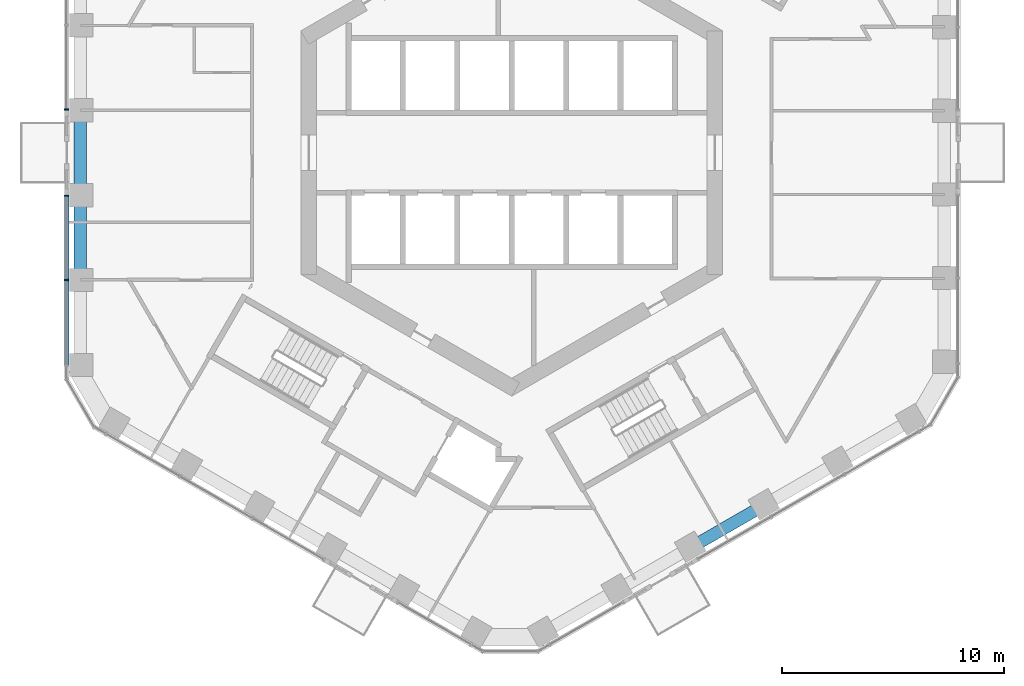
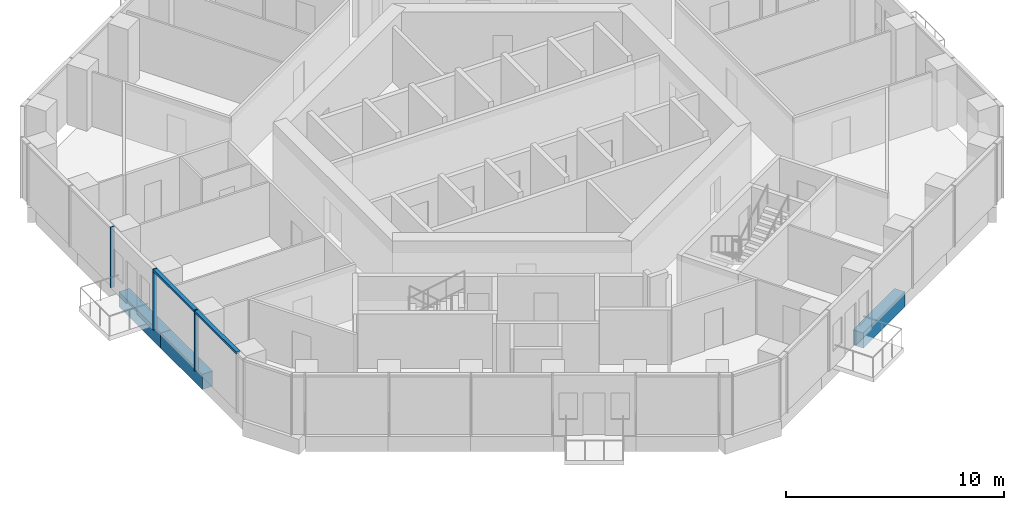
# One storey, part 3 of 20: 4 members, 3 beams, 2 elements without a shape of their own.
"""IFC4 building model written with IfcOpenShell, lengths in metres."""

from ifc_helpers import new_model, si_unit, direction, frame, origin, origin_2d, place, context, subcontext, project, spatial, rectangle, extrude, material, layer, layer_set, material_profile, profile_set, type_object, element, aggregate, save


model = new_model("IFC4")

# Units and contexts
model_context = context("Model", 3, precision=1e-05, world=origin(), true_north=direction((0.0, 1.0)))
body_context = subcontext(model_context, "Body", "Model", "MODEL_VIEW")
ifc_project = project(units=[si_unit("LENGTHUNIT", "METRE"), si_unit("AREAUNIT", "SQUARE_METRE"), si_unit("VOLUMEUNIT", "CUBIC_METRE"), si_unit("PLANEANGLEUNIT", "RADIAN"), si_unit("MASSUNIT", "GRAM", prefix="KILO")], contexts=[model_context])

# Site, building, storey
site_placement = place(None, origin())
site = spatial("IfcSite", under=ifc_project, at=site_placement, CompositionType="ELEMENT")
building_placement = place(site_placement, origin())
building = spatial("IfcBuilding", under=site, at=building_placement, Name="Ayvan Gate Tower", CompositionType="ELEMENT")
storey_placement = place(building_placement, frame((0.0, 0.0, 86.5)))
storey = spatial("IfcBuildingStorey", under=building, at=storey_placement, Name="L22", CompositionType="ELEMENT", Elevation=86.5)

# Beams
ifc_material_1 = material(Name="Concrete C40/50", Category="concrete")
ifc_material_profile_1 = material_profile(ifc_material_1, rectangle(XDim=0.550048828125, YDim=0.85009765625, at=origin_2d()), Name="RC 550x850")
ifc_profile_set_1 = profile_set([ifc_material_profile_1], Name="Concrete C40/50")
beam_type = type_object("IfcBeamType", Name="Spandrel beam RC 550x850 C40/50", PredefinedType="BEAM", material=ifc_profile_set_1)
beam_1_placement = place(storey_placement, frame((-19.439697265625, 1.908935546875, -0.77490234375), z_axis=(0.0, -1.0, 0.0), x_axis=(1.0, 0.0, 0.0)))
element("IfcBeam", 1, at=beam_1_placement, inside=storey, type_object=beam_type, Name="SB-L22-21", PredefinedType="BEAM", context=body_context, shape_type="SweptSolid", body=[
    extrude(rectangle(XDim=0.550048828125, YDim=0.85009765625, at=origin_2d()), origin(), (0.0, 0.0, 1.0), 3.81787109375),
])
beam_2_placement = place(storey_placement, frame((-19.439697265625, -1.908935546875, -0.77490234375), z_axis=(0.0, -1.0, 0.0), x_axis=(1.0, 0.0, 0.0)))
element("IfcBeam", 2, at=beam_2_placement, inside=storey, type_object=beam_type, Name="SB-L22-22", PredefinedType="BEAM", context=body_context, shape_type="SweptSolid", body=[
    extrude(rectangle(XDim=0.550048828125, YDim=0.85009765625, at=origin_2d()), origin(), (0.0, 0.0, 1.0), 3.817626953125),
])
beam_3_placement = place(storey_placement, frame((8.066650390625, -17.789794921875, -0.77490234375), z_axis=(0.866026918282, 0.499997376803, 0.0), x_axis=(-0.499997376803, 0.866026918282, 0.0)))
element("IfcBeam", 3, at=beam_3_placement, inside=storey, type_object=beam_type, Name="SB-L22-33", PredefinedType="BEAM", context=body_context, shape_type="SweptSolid", body=[
    extrude(rectangle(XDim=0.550048828125, YDim=0.85009765625, at=origin_2d()), origin(), (0.0, 0.0, 1.0), 3.81787109375),
])

# Curtain wall, member
ifc_material_2 = material(Name="Bronze anodised aluminium", Category="aluminium")
ifc_layer = layer(ifc_material_2, 0.199951171875)
ifc_layer_set = layer_set([ifc_layer], Name="Bronze anodised aluminium")
curtain_wall_type = type_object("IfcCurtainWallType", Name="Stick curtain wall CW-1", PredefinedType="NOTDEFINED", material=ifc_layer_set)
curtain_wall_1_placement = place(storey_placement, origin())
curtain_wall_1 = element("IfcCurtainWall", 4, at=curtain_wall_1_placement, inside=storey, type_object=curtain_wall_type, Name="Stick curtain wall CW-1 L22", PredefinedType="NOTDEFINED")
ifc_material_profile_2 = material_profile(ifc_material_2, rectangle(XDim=0.199951171875, YDim=0.06005859375, at=origin_2d()), Name="Stick curtain wall CW-1 mullion 200 x 60")
ifc_profile_set_2 = profile_set([ifc_material_profile_2], Name="Bronze anodised aluminium")
member_type_1 = type_object("IfcMemberType", Name="Stick curtain wall CW-1 mullion 200 x 60", PredefinedType="MULLION", material=ifc_profile_set_2)
member_1_placement = place(storey_placement, frame((-20.05126953125, 1.943603515625, 0.0), z_axis=(0.0, 0.0, 1.0), x_axis=(-1.0, 0.0, 0.0)))
member_1 = element("IfcMember", 5, at=member_1_placement, type_object=member_type_1, Name="CW-1 mullion 3", PredefinedType="MULLION", context=body_context, shape_type="SweptSolid", body=[
    extrude(rectangle(XDim=0.199951171875, YDim=0.06005859375, at=origin_2d()), origin(), (0.0, 0.0, 1.0), 3.39990234375),
])
aggregate(curtain_wall_1, [member_1])

# Curtain wall, members
curtain_wall_2_placement = place(storey_placement, origin())
curtain_wall_2 = element("IfcCurtainWall", 6, at=curtain_wall_2_placement, inside=storey, type_object=curtain_wall_type, Name="Stick curtain wall CW-1 L22", PredefinedType="NOTDEFINED")
member_2_placement = place(storey_placement, frame((-20.05126953125, -1.943603515625, 0.0), z_axis=(0.0, 0.0, 1.0), x_axis=(-1.0, 0.0, 0.0)))
member_2 = element("IfcMember", 7, at=member_2_placement, type_object=member_type_1, Name="CW-1 mullion 1", PredefinedType="MULLION", context=body_context, shape_type="SweptSolid", body=[
    extrude(rectangle(XDim=0.199951171875, YDim=0.06005859375, at=origin_2d()), origin(), (0.0, 0.0, 1.0), 3.39990234375),
])
member_3_placement = place(storey_placement, frame((-20.05126953125, -5.741455078125, 0.0), z_axis=(0.0, 0.0, 1.0), x_axis=(-1.0, 0.0, 0.0)))
member_3 = element("IfcMember", 8, at=member_3_placement, type_object=member_type_1, Name="CW-1 mullion 2", PredefinedType="MULLION", context=body_context, shape_type="SweptSolid", body=[
    extrude(rectangle(XDim=0.199951171875, YDim=0.06005859375, at=origin_2d()), origin(), (0.0, 0.0, 1.0), 3.39990234375),
])
ifc_material_profile_3 = material_profile(ifc_material_2, rectangle(XDim=0.199951171875, YDim=0.1201171875, at=origin_2d()), Name="Stick curtain wall CW-1 transom 200 x 120")
ifc_profile_set_3 = profile_set([ifc_material_profile_3], Name="Bronze anodised aluminium")
member_type_2 = type_object("IfcMemberType", Name="Stick curtain wall CW-1 transom 200 x 120", PredefinedType="USERDEFINED", material=ifc_profile_set_3)
member_4_placement = place(storey_placement, frame((-20.05126953125, -1.943603515625, 3.340087890625), z_axis=(0.0, -1.0, 0.0), x_axis=(1.0, 0.0, 0.0)))
member_4 = element("IfcMember", 9, at=member_4_placement, type_object=member_type_2, Name="CW-1 transom 1", ObjectType="TRANSOM", PredefinedType="USERDEFINED", context=body_context, shape_type="SweptSolid", body=[
    extrude(rectangle(XDim=0.199951171875, YDim=0.1201171875, at=origin_2d()), origin(), (0.0, 0.0, 1.0), 7.660888671875),
])
aggregate(curtain_wall_2, [member_2, member_3, member_4])

save(model, "model.ifc")
